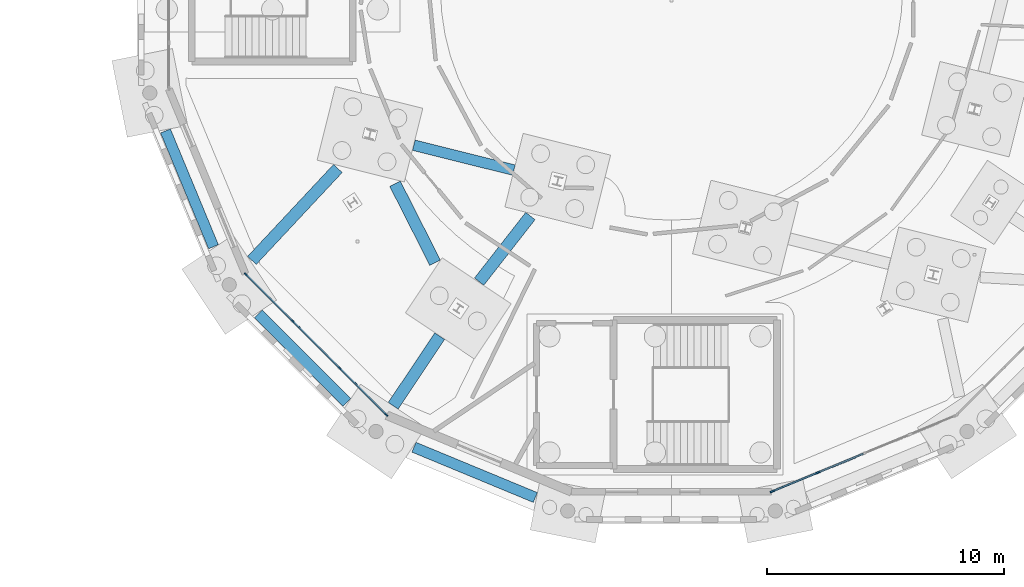
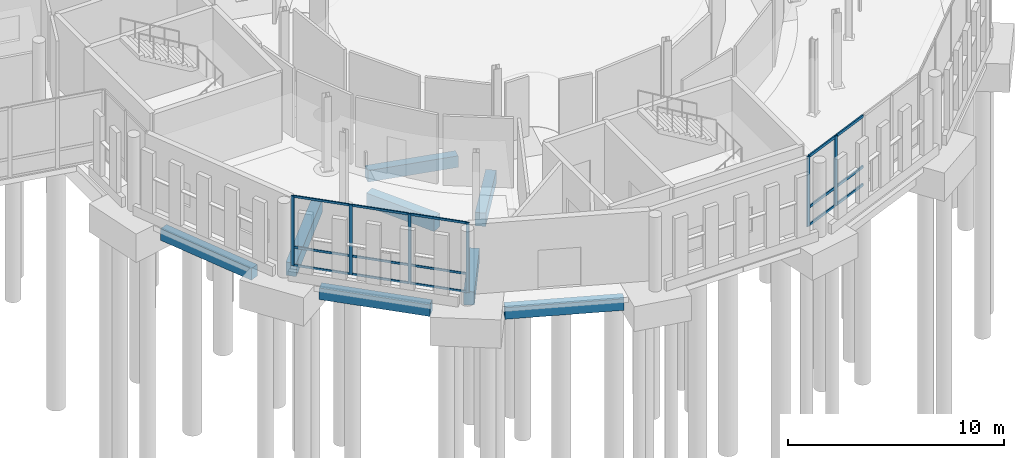
# One storey, part 51 of 113: 21 members, 8 beams, 2 elements without a shape of their own.
"""IFC4 building model written with IfcOpenShell, lengths in metres."""

import ifcopenshell
import ifcopenshell.guid

model = None  # the IFC model being written
_history = None  # IfcOwnerHistory: only IFC2X3 demands one
_inside = {}  # id of a spatial element -> (the spatial element, [elements in it])
_under = {}  # id of a project, library or spatial element -> (it, [spatial elements below it])
_declared = {}  # id of a project -> (the project, [libraries it declares])
_typed = {}  # id of a type object -> (the type object, [elements of that type])
_made_of = {}  # id of a material, layer set ... -> (it, [elements and type objects made of it])


def new_model(schema):
    """Start an empty IFC model of exactly this schema.

    Asked for "IFC4X3", IfcOpenShell would pick the latest addendum, in which some entities
    have other attributes; the version numbers below select the first issue.
    IFC2X3 requires an IfcOwnerHistory on every rooted entity: one is made here for all.
    """
    global model, _history
    if schema == "IFC4X3":
        model = ifcopenshell.file(schema_version=(4, 3, 0, 0))
    else:
        model = ifcopenshell.file(schema=schema)
    _inside.clear()
    _under.clear()
    _declared.clear()
    _typed.clear()
    _made_of.clear()
    _history = None
    if model.schema == "IFC2X3":
        org = make("IfcOrganization", Name="unknown")
        user = make(
            "IfcPersonAndOrganization",
            ThePerson=make("IfcPerson", FamilyName="unknown"),
            TheOrganization=org,
        )
        app = make(
            "IfcApplication",
            ApplicationDeveloper=org,
            Version="unknown",
            ApplicationFullName="unknown",
            ApplicationIdentifier="unknown",
        )
        _history = make(
            "IfcOwnerHistory",
            OwningUser=user,
            OwningApplication=app,
            ChangeAction="ADDED",
            CreationDate=0,
        )
    return model


def make(cls, **values):
    """One entity of the class cls with the attributes given. An attribute that is None is left unset."""
    return model.create_entity(
        cls, **{name: value for name, value in values.items() if value is not None}
    )


def rooted(cls, **values):
    """An entity with a GlobalId (a new one), such as an element, a storey or a relation."""
    return make(cls, GlobalId=ifcopenshell.guid.new(), OwnerHistory=_history, **values)


def si_unit(unit_type, name, prefix=None):
    """IfcSIUnit, for example si_unit("LENGTHUNIT", "METRE", prefix="MILLI")."""
    return make("IfcSIUnit", UnitType=unit_type, Prefix=prefix, Name=name)


def assignment(units):
    """IfcUnitAssignment: the units of a project."""
    return None if units is None else make("IfcUnitAssignment", Units=units)


def point(xyz):
    """IfcCartesianPoint."""
    return None if xyz is None else make("IfcCartesianPoint", Coordinates=xyz)


def direction(xyz):
    """IfcDirection."""
    return None if xyz is None else make("IfcDirection", DirectionRatios=xyz)


def frame(location, z_axis=None, x_axis=None):
    """IfcAxis2Placement3D, a coordinate frame: its origin and axes. An axis left out is left unset."""
    return make(
        "IfcAxis2Placement3D",
        Location=point(location),
        Axis=direction(z_axis),
        RefDirection=direction(x_axis),
    )


def frame_2d(location, x_axis=None):
    """IfcAxis2Placement2D, a coordinate frame in the plane: its origin and x axis."""
    return make(
        "IfcAxis2Placement2D", Location=point(location), RefDirection=direction(x_axis)
    )


def origin():
    """The frame at (0, 0, 0) with its axes left unset."""
    return frame((0.0, 0.0, 0.0))


def origin_2d():
    """The frame at (0, 0) in the plane with its x axis left unset."""
    return frame_2d((0.0, 0.0))


def place(relative_to, where):
    """IfcLocalPlacement: puts the frame where relative to a parent placement (None: the world)."""
    return make(
        "IfcLocalPlacement", PlacementRelTo=relative_to, RelativePlacement=where
    )


def context(
    kind, dimensions, precision=None, world=None, true_north=None, identifier=None
):
    """IfcGeometricRepresentationContext, for example the 3D "Model" context."""
    return make(
        "IfcGeometricRepresentationContext",
        ContextIdentifier=identifier,
        ContextType=kind,
        CoordinateSpaceDimension=dimensions,
        Precision=precision,
        WorldCoordinateSystem=world,
        TrueNorth=true_north,
    )


def subcontext(parent, identifier, kind, view, scale=None):
    """IfcGeometricRepresentationSubContext, for example "Body" below "Model"."""
    return make(
        "IfcGeometricRepresentationSubContext",
        ContextIdentifier=identifier,
        ContextType=kind,
        ParentContext=parent,
        TargetScale=scale,
        TargetView=view,
    )


def project(units=None, contexts=None):
    """IfcProject with its units and contexts."""
    return rooted(
        "IfcProject",
        Name="project",
        RepresentationContexts=contexts,
        UnitsInContext=assignment(units),
    )


def spatial(cls, under=None, at=None, **own):
    """A site, building, storey or space (cls), placed at a placement, below another one or the project."""
    s = rooted(cls, ObjectPlacement=at, **own)
    if under is not None:
        _under.setdefault(under.id(), (under, []))[1].append(s)
    return s


def profile(cls, at=None, kind="AREA", **sizes):
    """A parametric profile (cls). Its sizes go by their IFC names, for example OverallWidth=200.0."""
    return make(cls, ProfileType=kind, Position=at, **sizes)


def rectangle(**sizes):
    """IfcRectangleProfileDef."""
    return profile("IfcRectangleProfileDef", **sizes)


def extrude(swept, where, along, depth):
    """IfcExtrudedAreaSolid: the profile swept, set in the frame where, extruded along a direction by depth."""
    return make(
        "IfcExtrudedAreaSolid",
        SweptArea=swept,
        Position=where,
        ExtrudedDirection=direction(along),
        Depth=depth,
    )


def shape(context_of_items, identifier, shape_type, items):
    """IfcShapeRepresentation: the items that make up one representation, for example the "Body"."""
    return make(
        "IfcShapeRepresentation",
        ContextOfItems=context_of_items,
        RepresentationIdentifier=identifier,
        RepresentationType=shape_type,
        Items=items,
    )


def material(Name=None, Category=None):
    """IfcMaterial."""
    return make("IfcMaterial", Name=Name, Category=Category)


def material_profile(
    of_material, cross_section, Name=None, Category=None, Priority=None
):
    """IfcMaterialProfile: a cross section and its material."""
    return make(
        "IfcMaterialProfile",
        Name=Name,
        Material=of_material,
        Profile=cross_section,
        Priority=Priority,
        Category=Category,
    )


def profile_set(profiles, Name=None, composite=None):
    """IfcMaterialProfileSet."""
    return make(
        "IfcMaterialProfileSet",
        Name=Name,
        MaterialProfiles=profiles,
        CompositeProfile=composite,
    )


def made_of(thing, what):
    """Note that an element or type object is made of a material, layer set ...; save() writes the relation."""
    if what is not None:
        _made_of.setdefault(what.id(), (what, []))[1].append(thing)
    return thing


def type_object(cls, material=None, **own):
    """A type object (cls), such as IfcWallType, which elements share."""
    return made_of(rooted(cls, **own), material)


def element(
    cls,
    number,
    at=None,
    inside=None,
    cuts=None,
    type_object=None,
    material=None,
    context=None,
    identifier="Body",
    shape_type=None,
    held_by="IfcProductDefinitionShape",
    body=None,
    shapes=None,
    **own,
):
    """One element of the class cls, such as IfcWall. Its Tag is "e" and its number.

    at: its placement. inside: the storey or other place that contains it. cuts: it is an
    opening in that element (IfcRelVoidsElement). A single representation is given by context,
    identifier, shape_type and body (its items); several are given by shapes. held_by: the class
    of the entity that holds the representations. save() writes the other relations.
    """
    e = rooted(cls, Tag="e%d" % number, ObjectPlacement=at, **own)
    if body is not None:
        shapes = [shape(context, identifier, shape_type, body)]
    if shapes is not None:
        e.Representation = make(held_by, Representations=shapes)
    if inside is not None:
        _inside.setdefault(inside.id(), (inside, []))[1].append(e)
    if cuts is not None:
        rooted(
            "IfcRelVoidsElement", RelatingBuildingElement=cuts, RelatedOpeningElement=e
        )
    if type_object is not None:
        _typed.setdefault(type_object.id(), (type_object, []))[1].append(e)
    return made_of(e, material)


def aggregate(whole, parts):
    """IfcRelAggregates: a whole, such as a stair, and the parts it consists of."""
    return rooted("IfcRelAggregates", RelatingObject=whole, RelatedObjects=parts)


def save(model, path):
    """Write the relations noted so far, then the file.

    IfcRelAggregates (storeys below a building ...), IfcRelContainedInSpatialStructure (elements
    in a storey), IfcRelDefinesByType, IfcRelAssociatesMaterial and IfcRelDeclares: one each for
    every whole, place, type object, material and project.
    """
    for whole, parts in _under.values():
        aggregate(whole, parts)
    for where, things in _inside.values():
        rooted(
            "IfcRelContainedInSpatialStructure",
            RelatedElements=things,
            RelatingStructure=where,
        )
    for kind, things in _typed.values():
        rooted("IfcRelDefinesByType", RelatedObjects=things, RelatingType=kind)
    for what, things in _made_of.values():
        rooted("IfcRelAssociatesMaterial", RelatedObjects=things, RelatingMaterial=what)
    for by, libraries in _declared.values():
        rooted("IfcRelDeclares", RelatingContext=by, RelatedDefinitions=libraries)
    model.write(path)


model = new_model("IFC4")

# Units and contexts
model_context = context("Model", 3, precision=1e-05, world=origin(), true_north=direction((0.0, 1.0)))
body_context = subcontext(model_context, "Body", "Model", "MODEL_VIEW")
ifc_project = project(units=[si_unit("LENGTHUNIT", "METRE"), si_unit("AREAUNIT", "SQUARE_METRE"), si_unit("VOLUMEUNIT", "CUBIC_METRE"), si_unit("PLANEANGLEUNIT", "RADIAN"), si_unit("MASSUNIT", "GRAM", prefix="KILO")], contexts=[model_context])

# Site, building, storey
site_placement = place(None, origin())
site = spatial("IfcSite", under=ifc_project, at=site_placement, CompositionType="ELEMENT")
building_placement = place(site_placement, origin())
building = spatial("IfcBuilding", under=site, at=building_placement, Name="Wrenclough Park School", CompositionType="ELEMENT")
storey_placement = place(building_placement, origin())
storey = spatial("IfcBuildingStorey", under=building, at=storey_placement, Name="L00", CompositionType="ELEMENT", Elevation=0.0)

# Curtain wall, members
ifc_material_1 = material(Name="Thermally broken aluminium and low-e glass curtain wall", Category="aluminium")
curtain_wall_type_1 = type_object("IfcCurtainWallType", Name="ENV-CW-02", PredefinedType="USERDEFINED", material=ifc_material_1)
curtain_wall_1_placement = place(storey_placement, origin())
curtain_wall_1 = element("IfcCurtainWall", 1, at=curtain_wall_1_placement, inside=storey, type_object=curtain_wall_type_1, Name="L00 recessed curtain wall assembly 033", ObjectType="CURTAIN WALL", PredefinedType="USERDEFINED")
ifc_material_2 = material(Name="Thermally broken anodised aluminium", Category="aluminium")
ifc_material_profile_1 = material_profile(ifc_material_2, rectangle(XDim=0.06005859375, YDim=0.159912109375, at=origin_2d()), Name="AL MULLION 60x160")
ifc_profile_set_1 = profile_set([ifc_material_profile_1], Name="Thermally broken anodised aluminium")
member_type_1 = type_object("IfcMemberType", Name="ENV-CWM-1", PredefinedType="MULLION", material=ifc_profile_set_1)
member_1_placement = place(storey_placement, frame((143.46044921875, 8.541259765625, 0.0), z_axis=(0.0, 0.0, 1.0), x_axis=(-0.707106781187, -0.707106781187, 0.0)))
member_1 = element("IfcMember", 2, at=member_1_placement, type_object=member_type_1, Name="CW-02 mullion 1", PredefinedType="MULLION", context=body_context, shape_type="SweptSolid", body=[
    extrude(rectangle(XDim=0.06005859375, YDim=0.159912109375, at=origin_2d()), origin(), (0.0, 0.0, 1.0), 3.93994140625),
])
member_2_placement = place(storey_placement, frame((141.494384765625, 10.507080078125, 0.0), z_axis=(0.0, 0.0, 1.0), x_axis=(-0.707106781187, -0.707106781187, 0.0)))
member_2 = element("IfcMember", 3, at=member_2_placement, type_object=member_type_1, Name="CW-02 mullion 2", PredefinedType="MULLION", context=body_context, shape_type="SweptSolid", body=[
    extrude(rectangle(XDim=0.06005859375, YDim=0.159912109375, at=origin_2d()), origin(), (0.0, 0.0, 1.0), 3.93994140625),
])
member_3_placement = place(storey_placement, frame((139.507080078125, 12.494384765625, 0.0), z_axis=(0.0, 0.0, 1.0), x_axis=(-0.707106781187, -0.707106781187, 0.0)))
member_3 = element("IfcMember", 4, at=member_3_placement, type_object=member_type_1, Name="CW-02 mullion 3", PredefinedType="MULLION", context=body_context, shape_type="SweptSolid", body=[
    extrude(rectangle(XDim=0.06005859375, YDim=0.159912109375, at=origin_2d()), origin(), (0.0, 0.0, 1.0), 3.93994140625),
])
member_4_placement = place(storey_placement, frame((137.541259765625, 14.46044921875, 0.0), z_axis=(0.0, 0.0, 1.0), x_axis=(-0.707106781187, -0.707106781187, 0.0)))
member_4 = element("IfcMember", 5, at=member_4_placement, type_object=member_type_1, Name="CW-02 mullion 4", PredefinedType="MULLION", context=body_context, shape_type="SweptSolid", body=[
    extrude(rectangle(XDim=0.06005859375, YDim=0.159912109375, at=origin_2d()), origin(), (0.0, 0.0, 1.0), 3.93994140625),
])

curtain_wall_type_2 = type_object("IfcCurtainWallType", Name="ENV-CW-01", PredefinedType="USERDEFINED", material=ifc_material_1)
curtain_wall_2_placement = place(storey_placement, origin())
curtain_wall_2 = element("IfcCurtainWall", 6, at=curtain_wall_2_placement, inside=storey, type_object=curtain_wall_type_2, Name="L00 recessed curtain wall assembly 032", ObjectType="CURTAIN WALL", PredefinedType="USERDEFINED")
ifc_material_profile_2 = material_profile(ifc_material_2, rectangle(XDim=0.070068359375, YDim=0.199951171875, at=origin_2d()), Name="AL MULLION 70x200")
ifc_profile_set_2 = profile_set([ifc_material_profile_2], Name="Thermally broken anodised aluminium")
member_type_2 = type_object("IfcMemberType", Name="ENV-CWM-3", PredefinedType="MULLION", material=ifc_profile_set_2)
member_5_placement = place(storey_placement, frame((161.670166015625, 6.095947265625, 0.0), z_axis=(0.0, 0.0, 1.0), x_axis=(0.382686670549, -0.923878191205, 0.0)))
member_5 = element("IfcMember", 7, at=member_5_placement, type_object=member_type_2, Name="CW-01 mullion 4", PredefinedType="MULLION", context=body_context, shape_type="SweptSolid", body=[
    extrude(rectangle(XDim=0.070068359375, YDim=0.199951171875, at=origin_2d()), origin(), (0.0, 0.0, 1.0), 3.93994140625),
])
member_6_placement = place(storey_placement, frame((159.75537109375, 5.302734375, 0.0), z_axis=(0.0, 0.0, 1.0), x_axis=(0.382686670549, -0.923878191205, 0.0)))
member_6 = element("IfcMember", 8, at=member_6_placement, type_object=member_type_2, Name="CW-01 mullion 5", PredefinedType="MULLION", context=body_context, shape_type="SweptSolid", body=[
    extrude(rectangle(XDim=0.070068359375, YDim=0.199951171875, at=origin_2d()), origin(), (0.0, 0.0, 1.0), 3.93994140625),
])

# Member
ifc_material_profile_3 = material_profile(ifc_material_2, rectangle(XDim=0.06005859375, YDim=0.1201171875, at=origin_2d()), Name="AL TRANSOM 60x120")
ifc_profile_set_3 = profile_set([ifc_material_profile_3], Name="Thermally broken anodised aluminium")
member_type_3 = type_object("IfcMemberType", Name="ENV-CWT-1", PredefinedType="USERDEFINED", material=ifc_profile_set_3)
member_7_placement = place(storey_placement, frame((143.439208984375, 8.5625, 0.030029296875), z_axis=(-0.707106781187, 0.707106781187, 0.0), x_axis=(-0.707106781187, -0.707106781187, 0.0)))
member_7 = element("IfcMember", 9, at=member_7_placement, type_object=member_type_3, Name="CW-02 transom 1.1", ObjectType="TRANSOM", PredefinedType="USERDEFINED", context=body_context, shape_type="SweptSolid", body=[
    extrude(rectangle(XDim=0.06005859375, YDim=0.1201171875, at=origin_2d()), origin(), (0.0, 0.0, 1.0), 2.720458984375),
])

member_8_placement = place(storey_placement, frame((143.439208984375, 8.5625, 1.050048828125), z_axis=(-0.707106781187, 0.707106781187, 0.0), x_axis=(-0.707106781187, -0.707106781187, 0.0)))
member_8 = element("IfcMember", 10, at=member_8_placement, type_object=member_type_3, Name="CW-02 transom 1.2", ObjectType="TRANSOM", PredefinedType="USERDEFINED", context=body_context, shape_type="SweptSolid", body=[
    extrude(rectangle(XDim=0.06005859375, YDim=0.1201171875, at=origin_2d()), origin(), (0.0, 0.0, 1.0), 2.720458984375),
])

member_9_placement = place(storey_placement, frame((143.439208984375, 8.5625, 3.909912109375), z_axis=(-0.707106781187, 0.707106781187, 0.0), x_axis=(-0.707106781187, -0.707106781187, 0.0)))
member_9 = element("IfcMember", 11, at=member_9_placement, type_object=member_type_3, Name="CW-02 transom 1.3", ObjectType="TRANSOM", PredefinedType="USERDEFINED", context=body_context, shape_type="SweptSolid", body=[
    extrude(rectangle(XDim=0.06005859375, YDim=0.1201171875, at=origin_2d()), origin(), (0.0, 0.0, 1.0), 2.720458984375),
])

member_10_placement = place(storey_placement, frame((141.47314453125, 10.5283203125, 0.030029296875), z_axis=(-0.707106781187, 0.707106781187, 0.0), x_axis=(-0.707106781187, -0.707106781187, 0.0)))
member_10 = element("IfcMember", 12, at=member_10_placement, type_object=member_type_3, Name="CW-02 transom 2.1", ObjectType="TRANSOM", PredefinedType="USERDEFINED", context=body_context, shape_type="SweptSolid", body=[
    extrude(rectangle(XDim=0.06005859375, YDim=0.1201171875, at=origin_2d()), origin(), (0.0, 0.0, 1.0), 2.75048828125),
])

member_11_placement = place(storey_placement, frame((141.47314453125, 10.5283203125, 1.050048828125), z_axis=(-0.707106781187, 0.707106781187, 0.0), x_axis=(-0.707106781187, -0.707106781187, 0.0)))
member_11 = element("IfcMember", 13, at=member_11_placement, type_object=member_type_3, Name="CW-02 transom 2.2", ObjectType="TRANSOM", PredefinedType="USERDEFINED", context=body_context, shape_type="SweptSolid", body=[
    extrude(rectangle(XDim=0.06005859375, YDim=0.1201171875, at=origin_2d()), origin(), (0.0, 0.0, 1.0), 2.75048828125),
])

member_12_placement = place(storey_placement, frame((141.47314453125, 10.5283203125, 3.909912109375), z_axis=(-0.707106781187, 0.707106781187, 0.0), x_axis=(-0.707106781187, -0.707106781187, 0.0)))
member_12 = element("IfcMember", 14, at=member_12_placement, type_object=member_type_3, Name="CW-02 transom 2.3", ObjectType="TRANSOM", PredefinedType="USERDEFINED", context=body_context, shape_type="SweptSolid", body=[
    extrude(rectangle(XDim=0.06005859375, YDim=0.1201171875, at=origin_2d()), origin(), (0.0, 0.0, 1.0), 2.75048828125),
])

member_13_placement = place(storey_placement, frame((139.486083984375, 12.515625, 0.030029296875), z_axis=(-0.707106781187, 0.707106781187, 0.0), x_axis=(-0.707106781187, -0.707106781187, 0.0)))
member_13 = element("IfcMember", 15, at=member_13_placement, type_object=member_type_3, Name="CW-02 transom 3.1", ObjectType="TRANSOM", PredefinedType="USERDEFINED", context=body_context, shape_type="SweptSolid", body=[
    extrude(rectangle(XDim=0.06005859375, YDim=0.1201171875, at=origin_2d()), origin(), (0.0, 0.0, 1.0), 2.720458984375),
])

member_14_placement = place(storey_placement, frame((139.486083984375, 12.515625, 1.050048828125), z_axis=(-0.707106781187, 0.707106781187, 0.0), x_axis=(-0.707106781187, -0.707106781187, 0.0)))
member_14 = element("IfcMember", 16, at=member_14_placement, type_object=member_type_3, Name="CW-02 transom 3.2", ObjectType="TRANSOM", PredefinedType="USERDEFINED", context=body_context, shape_type="SweptSolid", body=[
    extrude(rectangle(XDim=0.06005859375, YDim=0.1201171875, at=origin_2d()), origin(), (0.0, 0.0, 1.0), 2.720458984375),
])

member_15_placement = place(storey_placement, frame((139.486083984375, 12.515625, 3.909912109375), z_axis=(-0.707106781187, 0.707106781187, 0.0), x_axis=(-0.707106781187, -0.707106781187, 0.0)))
member_15 = element("IfcMember", 17, at=member_15_placement, type_object=member_type_3, Name="CW-02 transom 3.3", ObjectType="TRANSOM", PredefinedType="USERDEFINED", context=body_context, shape_type="SweptSolid", body=[
    extrude(rectangle(XDim=0.06005859375, YDim=0.1201171875, at=origin_2d()), origin(), (0.0, 0.0, 1.0), 2.720458984375),
])

aggregate(curtain_wall_1, [member_1, member_2, member_3, member_4, member_7, member_8, member_9, member_10, member_11, member_12, member_13, member_14, member_15])

ifc_material_profile_4 = material_profile(ifc_material_2, rectangle(XDim=0.070068359375, YDim=0.14990234375, at=origin_2d()), Name="AL TRANSOM 70x150")
ifc_profile_set_4 = profile_set([ifc_material_profile_4], Name="Thermally broken anodised aluminium")
member_type_4 = type_object("IfcMemberType", Name="ENV-CWT-3", PredefinedType="USERDEFINED", material=ifc_profile_set_4)
member_16_placement = place(storey_placement, frame((163.585205078125, 6.88916015625, 0.034912109375), z_axis=(-0.923879565529, -0.382683352652, 0.0), x_axis=(0.382683352652, -0.923879565529, 0.0)))
member_16 = element("IfcMember", 18, at=member_16_placement, type_object=member_type_4, Name="CW-01 transom 3.1", ObjectType="TRANSOM", PredefinedType="USERDEFINED", context=body_context, shape_type="SweptSolid", body=[
    extrude(rectangle(XDim=0.070068359375, YDim=0.14990234375, at=origin_2d()), origin(), (0.0, 0.0, 1.0), 2.03759765625),
])

member_17_placement = place(storey_placement, frame((163.585205078125, 6.88916015625, 1.050048828125), z_axis=(-0.923879565529, -0.382683352652, 0.0), x_axis=(0.382683352652, -0.923879565529, 0.0)))
member_17 = element("IfcMember", 19, at=member_17_placement, type_object=member_type_4, Name="CW-01 transom 3.2", ObjectType="TRANSOM", PredefinedType="USERDEFINED", context=body_context, shape_type="SweptSolid", body=[
    extrude(rectangle(XDim=0.070068359375, YDim=0.14990234375, at=origin_2d()), origin(), (0.0, 0.0, 1.0), 2.03759765625),
])

member_18_placement = place(storey_placement, frame((163.585205078125, 6.88916015625, 3.905029296875), z_axis=(-0.923879565529, -0.382683352652, 0.0), x_axis=(0.382683352652, -0.923879565529, 0.0)))
member_18 = element("IfcMember", 20, at=member_18_placement, type_object=member_type_4, Name="CW-01 transom 3.3", ObjectType="TRANSOM", PredefinedType="USERDEFINED", context=body_context, shape_type="SweptSolid", body=[
    extrude(rectangle(XDim=0.070068359375, YDim=0.14990234375, at=origin_2d()), origin(), (0.0, 0.0, 1.0), 2.03759765625),
])

member_19_placement = place(storey_placement, frame((161.637939453125, 6.08251953125, 0.034912109375), z_axis=(-0.923893521295, -0.382649658708, 0.0), x_axis=(0.382649658708, -0.923893521295, 0.0)))
member_19 = element("IfcMember", 21, at=member_19_placement, type_object=member_type_4, Name="CW-01 transom 4.1", ObjectType="TRANSOM", PredefinedType="USERDEFINED", context=body_context, shape_type="SweptSolid", body=[
    extrude(rectangle(XDim=0.070068359375, YDim=0.14990234375, at=origin_2d()), origin(), (0.0, 0.0, 1.0), 2.002685546875),
])

member_20_placement = place(storey_placement, frame((161.637939453125, 6.08251953125, 1.050048828125), z_axis=(-0.923893521295, -0.382649658708, 0.0), x_axis=(0.382649658708, -0.923893521295, 0.0)))
member_20 = element("IfcMember", 22, at=member_20_placement, type_object=member_type_4, Name="CW-01 transom 4.2", ObjectType="TRANSOM", PredefinedType="USERDEFINED", context=body_context, shape_type="SweptSolid", body=[
    extrude(rectangle(XDim=0.070068359375, YDim=0.14990234375, at=origin_2d()), origin(), (0.0, 0.0, 1.0), 2.002685546875),
])

member_21_placement = place(storey_placement, frame((161.637939453125, 6.08251953125, 3.905029296875), z_axis=(-0.923893521295, -0.382649658708, 0.0), x_axis=(0.382649658708, -0.923893521295, 0.0)))
member_21 = element("IfcMember", 23, at=member_21_placement, type_object=member_type_4, Name="CW-01 transom 4.3", ObjectType="TRANSOM", PredefinedType="USERDEFINED", context=body_context, shape_type="SweptSolid", body=[
    extrude(rectangle(XDim=0.070068359375, YDim=0.14990234375, at=origin_2d()), origin(), (0.0, 0.0, 1.0), 2.002685546875),
])

aggregate(curtain_wall_2, [member_5, member_6, member_16, member_17, member_18, member_19, member_20, member_21])

# Beams
ifc_material_3 = material(Name="Concrete C35/45", Category="concrete")
ifc_material_profile_5 = material_profile(ifc_material_3, rectangle(XDim=0.449951171875, YDim=0.64990234375, at=origin_2d()), Name="RC GROUND 450x650")
ifc_profile_set_5 = profile_set([ifc_material_profile_5], Name="Concrete C35/45")
beam_type_1 = type_object("IfcBeamType", Name="STR-BM-GTB1", PredefinedType="USERDEFINED", material=ifc_profile_set_5)
beam_1_placement = place(storey_placement, frame((144.623291015625, 19.915771484375, -0.625), z_axis=(0.970297445209, -0.241915001232, 0.0), x_axis=(0.241915001232, 0.970297445209, 0.0)))
element("IfcBeam", 24, at=beam_1_placement, inside=storey, type_object=beam_type_1, Name="Reinforced concrete ground tie beam 001", ObjectType="GROUND TIE BEAM", PredefinedType="USERDEFINED", context=body_context, shape_type="SweptSolid", body=[
    extrude(rectangle(XDim=0.449951171875, YDim=0.64990234375, at=origin_2d()), origin(), (0.0, 0.0, 1.0), 4.3505859375),
])
beam_2_placement = place(storey_placement, frame((134.14501953125, 20.517578125, -0.625), z_axis=(0.382700940115, -0.923872280369, 0.0), x_axis=(0.923872280369, 0.382700940115, 0.0)))
element("IfcBeam", 25, at=beam_2_placement, inside=storey, type_object=beam_type_1, Name="Reinforced concrete ground tie beam 041", ObjectType="GROUND TIE BEAM", PredefinedType="USERDEFINED", context=body_context, shape_type="SweptSolid", body=[
    extrude(rectangle(XDim=0.449951171875, YDim=0.64990234375, at=origin_2d()), origin(), (0.0, 0.0, 1.0), 5.29052734375),
])
beam_3_placement = place(storey_placement, frame((138.06005859375, 12.80078125, -0.625), z_axis=(0.707106781187, -0.707106781187, 0.0), x_axis=(0.707106781187, 0.707106781187, 0.0)))
element("IfcBeam", 26, at=beam_3_placement, inside=storey, type_object=beam_type_1, Name="Reinforced concrete ground tie beam 043", ObjectType="GROUND TIE BEAM", PredefinedType="USERDEFINED", context=body_context, shape_type="SweptSolid", body=[
    extrude(rectangle(XDim=0.449951171875, YDim=0.64990234375, at=origin_2d()), origin(), (0.0, 0.0, 1.0), 5.290283203125),
])
beam_4_placement = place(storey_placement, frame((149.753173828125, 5.047607421875, -0.625), z_axis=(-0.923883760147, 0.38267322579, 0.0), x_axis=(-0.38267322579, -0.923883760147, 0.0)))
element("IfcBeam", 27, at=beam_4_placement, inside=storey, type_object=beam_type_1, Name="Reinforced concrete ground tie beam 045", ObjectType="GROUND TIE BEAM", PredefinedType="USERDEFINED", context=body_context, shape_type="SweptSolid", body=[
    extrude(rectangle(XDim=0.449951171875, YDim=0.64990234375, at=origin_2d()), origin(), (0.0, 0.0, 1.0), 5.54541015625),
])
ifc_material_profile_6 = material_profile(ifc_material_3, rectangle(XDim=0.5, YDim=0.75, at=origin_2d()), Name="RC GROUND 500x750")
ifc_profile_set_6 = profile_set([ifc_material_profile_6], Name="Concrete C35/45")
beam_type_2 = type_object("IfcBeamType", Name="STR-BM-GTB2", PredefinedType="USERDEFINED", material=ifc_profile_set_6)
beam_5_placement = place(storey_placement, frame((143.832275390625, 18.28759765625, -0.675048828125), z_axis=(0.452482270187, -0.891773399001, 0.0), x_axis=(0.891773399001, 0.452482270187, 0.0)))
element("IfcBeam", 28, at=beam_5_placement, inside=storey, type_object=beam_type_2, Name="Reinforced concrete ground tie beam 002", ObjectType="GROUND TIE BEAM", PredefinedType="USERDEFINED", context=body_context, shape_type="SweptSolid", body=[
    extrude(rectangle(XDim=0.5, YDim=0.75, at=origin_2d()), origin(), (0.0, 0.0, 1.0), 3.738525390625),
])
beam_6_placement = place(storey_placement, frame((149.543701171875, 16.926513671875, -0.675048828125), z_axis=(-0.615642693097, -0.788025427531, 0.0), x_axis=(0.788025427531, -0.615642693097, 0.0)))
element("IfcBeam", 29, at=beam_6_placement, inside=storey, type_object=beam_type_2, Name="Reinforced concrete ground tie beam 004", ObjectType="GROUND TIE BEAM", PredefinedType="USERDEFINED", context=body_context, shape_type="SweptSolid", body=[
    extrude(rectangle(XDim=0.5, YDim=0.75, at=origin_2d()), origin(), (0.0, 0.0, 1.0), 3.512451171875),
])
beam_7_placement = place(storey_placement, frame((137.7919921875, 15.052490234375, -0.675048828125), z_axis=(0.683059852205, 0.730362402035, 0.0), x_axis=(-0.730362402035, 0.683059852205, 0.0)))
element("IfcBeam", 30, at=beam_7_placement, inside=storey, type_object=beam_type_2, Name="Reinforced concrete ground tie beam 042", ObjectType="GROUND TIE BEAM", PredefinedType="USERDEFINED", context=body_context, shape_type="SweptSolid", body=[
    extrude(rectangle(XDim=0.5, YDim=0.75, at=origin_2d()), origin(), (0.0, 0.0, 1.0), 5.31103515625),
])
beam_8_placement = place(storey_placement, frame((143.754150390625, 8.921142578125, -0.675048828125), z_axis=(0.555560772485, 0.831475933552, 0.0), x_axis=(-0.831475933552, 0.555560772485, 0.0)))
element("IfcBeam", 31, at=beam_8_placement, inside=storey, type_object=beam_type_2, Name="Reinforced concrete ground tie beam 044", ObjectType="GROUND TIE BEAM", PredefinedType="USERDEFINED", context=body_context, shape_type="SweptSolid", body=[
    extrude(rectangle(XDim=0.5, YDim=0.75, at=origin_2d()), origin(), (0.0, 0.0, 1.0), 3.533935546875),
])

save(model, "model.ifc")
